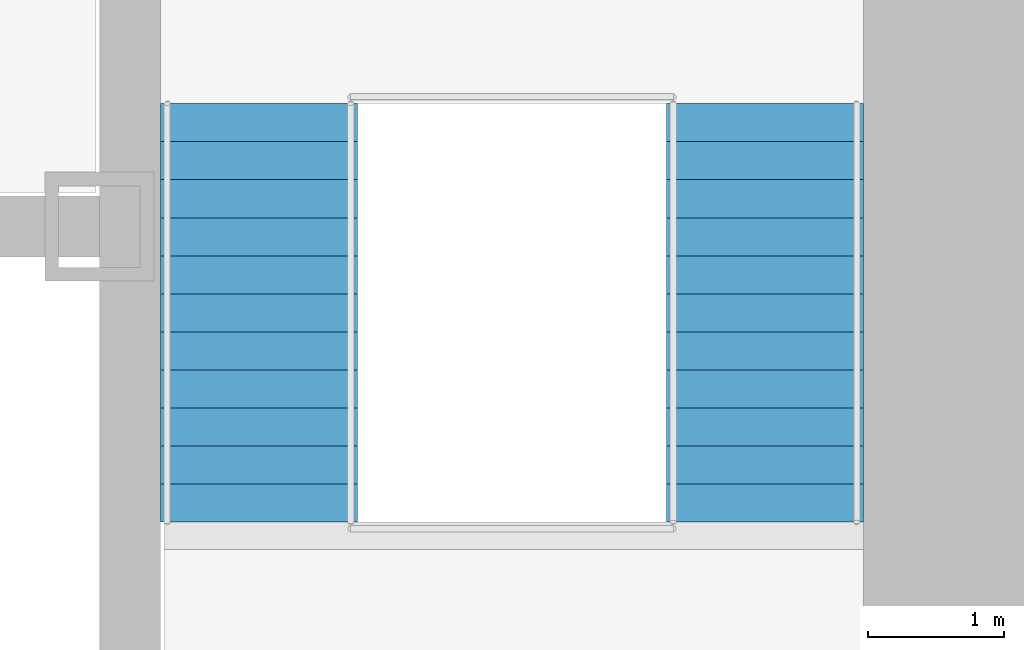
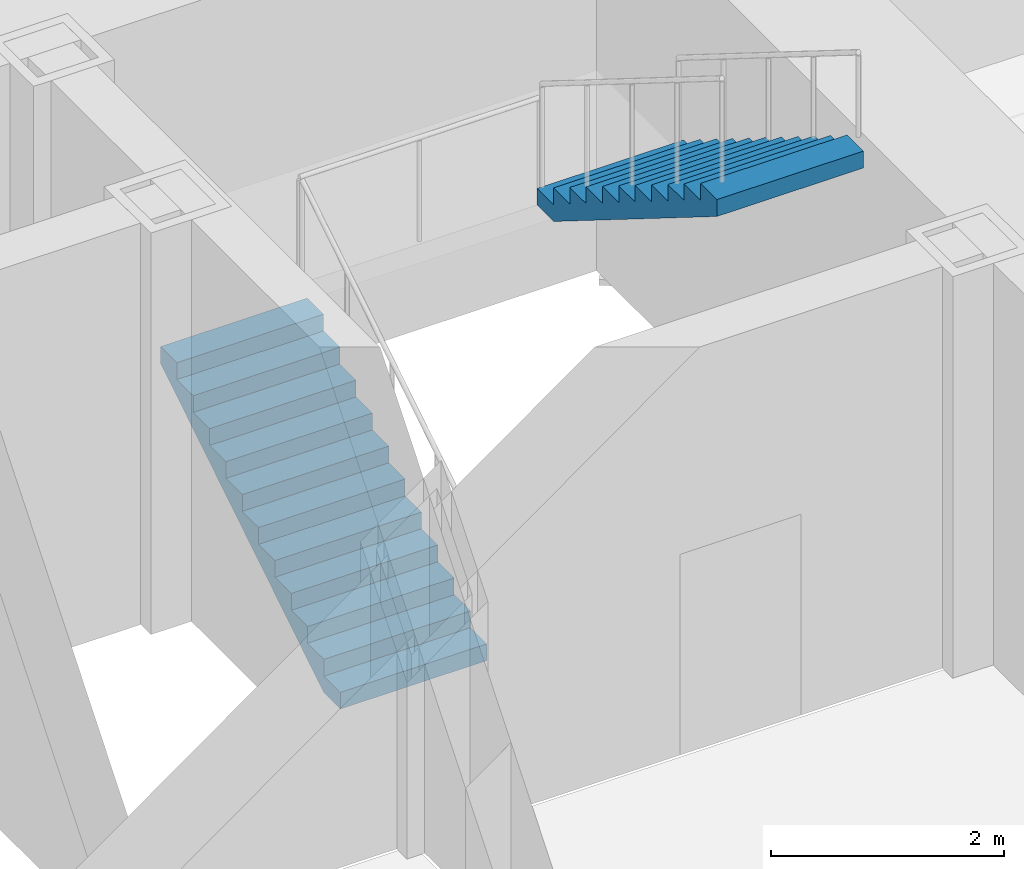
# One storey, part 11 of 17: 2 stair flights, 1 element without a shape of its own.
"""IFC4 building model written with IfcOpenShell, lengths in metres."""

from ifc_helpers import new_model, si_unit, direction, frame, origin, place, context, subcontext, project, spatial, polyline, outline, extrude, material, type_object, element, aggregate, save


model = new_model("IFC4")

# Units and contexts
model_context = context("Model", 3, precision=1e-05, world=origin(), true_north=direction((0.0, 1.0)))
body_context = subcontext(model_context, "Body", "Model", "MODEL_VIEW")
ifc_project = project(units=[si_unit("LENGTHUNIT", "METRE"), si_unit("AREAUNIT", "SQUARE_METRE"), si_unit("VOLUMEUNIT", "CUBIC_METRE"), si_unit("PLANEANGLEUNIT", "RADIAN"), si_unit("MASSUNIT", "GRAM", prefix="KILO")], contexts=[model_context])

# Site, building, storey
site_placement = place(None, origin())
site = spatial("IfcSite", under=ifc_project, at=site_placement, CompositionType="ELEMENT")
building_placement = place(site_placement, origin())
building = spatial("IfcBuilding", under=site, at=building_placement, Name="Daluyong Arena Tower", CompositionType="ELEMENT")
storey_placement = place(building_placement, frame((0.0, 0.0, 89.5)))
storey = spatial("IfcBuildingStorey", under=building, at=storey_placement, Name="L19", CompositionType="ELEMENT", Elevation=89.5)

# Stair, stair flights
ifc_material_1 = material(Name="Concrete fc' 35 MPa", Category="concrete")
stair_type = type_object("IfcStairType", Name="Core exit stair", PredefinedType="HALF_TURN_STAIR", material=ifc_material_1)
stair_placement = place(storey_placement, origin())
stair = element("IfcStair", 1, at=stair_placement, inside=storey, type_object=stair_type, Name="exit stair B L19", PredefinedType="HALF_TURN_STAIR")
ifc_material_2 = material(Name="Concrete fc' 35 MPa", Category="concrete")
stair_flight_type = type_object("IfcStairFlightType", Name="Core stair flight", PredefinedType="STRAIGHT", material=ifc_material_2)
stair_flight_1_placement = place(storey_placement, frame((62.949951171875, 83.824951171875, 0.0), z_axis=(0.0, 0.0, 1.0), x_axis=(0.0, 1.0, 0.0)))
stair_flight_1 = element("IfcStairFlight", 2, at=stair_flight_1_placement, type_object=stair_flight_type, Name="STB flight 1", NumberOfRisers=12, NumberOfTreads=11, PredefinedType="STRAIGHT", RiserHeight=0.175, TreadLength=0.28, context=body_context, shape_type="SweptSolid", body=[
    extrude(outline(polyline([(0.0, 0.0), (0.0, 0.175048828125), (0.280029296875, 0.175048828125), (0.280029296875, 0.35009765625), (0.56005859375, 0.35009765625), (0.56005859375, 0.52490234375), (0.840087890625, 0.52490234375), (0.840087890625, 0.699951171875), (1.1201171875, 0.699951171875), (1.1201171875, 0.875), (1.39990234375, 0.875), (1.39990234375, 1.050048828125), (1.679931640625, 1.050048828125), (1.679931640625, 1.22509765625), (1.9599609375, 1.22509765625), (1.9599609375, 1.39990234375), (2.239990234375, 1.39990234375), (2.239990234375, 1.574951171875), (2.52001953125, 1.574951171875), (2.52001953125, 1.75), (2.800048828125, 1.75), (2.800048828125, 1.925048828125), (3.080078125, 1.925048828125), (3.080078125, 2.10009765625), (3.080078125, 1.748291015625), (0.28271484375, 0.0), (0.0, 0.0)])), frame((0.0, 0.72509765625, 0.0), z_axis=(0.0, -1.0, 0.0), x_axis=(1.0, 0.0, 0.0)), (0.0, 0.0, 1.0), 1.449951171875),
])
stair_flight_2_placement = place(storey_placement, frame((66.675048828125, 86.905029296875, 2.10009765625), z_axis=(0.0, 0.0, 1.0), x_axis=(0.0, -1.0, 0.0)))
stair_flight_2 = element("IfcStairFlight", 3, at=stair_flight_2_placement, type_object=stair_flight_type, Name="STB flight 2", NumberOfRisers=12, NumberOfTreads=11, PredefinedType="STRAIGHT", RiserHeight=0.175, TreadLength=0.28, context=body_context, shape_type="SweptSolid", body=[
    extrude(outline(polyline([(0.0, 0.0), (0.0, 0.175048828125), (0.280029296875, 0.175048828125), (0.280029296875, 0.35009765625), (0.56005859375, 0.35009765625), (0.56005859375, 0.52490234375), (0.840087890625, 0.52490234375), (0.840087890625, 0.699951171875), (1.1201171875, 0.699951171875), (1.1201171875, 0.875), (1.39990234375, 0.875), (1.39990234375, 1.050048828125), (1.679931640625, 1.050048828125), (1.679931640625, 1.22509765625), (1.9599609375, 1.22509765625), (1.9599609375, 1.39990234375), (2.239990234375, 1.39990234375), (2.239990234375, 1.574951171875), (2.52001953125, 1.574951171875), (2.52001953125, 1.75), (2.800048828125, 1.75), (2.800048828125, 1.925048828125), (3.080078125, 1.925048828125), (3.080078125, 2.10009765625), (3.080078125, 1.748291015625), (0.28271484375, 0.0), (0.0, 0.0)])), frame((0.0, 0.72509765625, 0.0), z_axis=(0.0, -1.0, 0.0), x_axis=(1.0, 0.0, 0.0)), (0.0, 0.0, 1.0), 1.449951171875),
])
aggregate(stair, [stair_flight_1, stair_flight_2])

save(model, "model.ifc")
